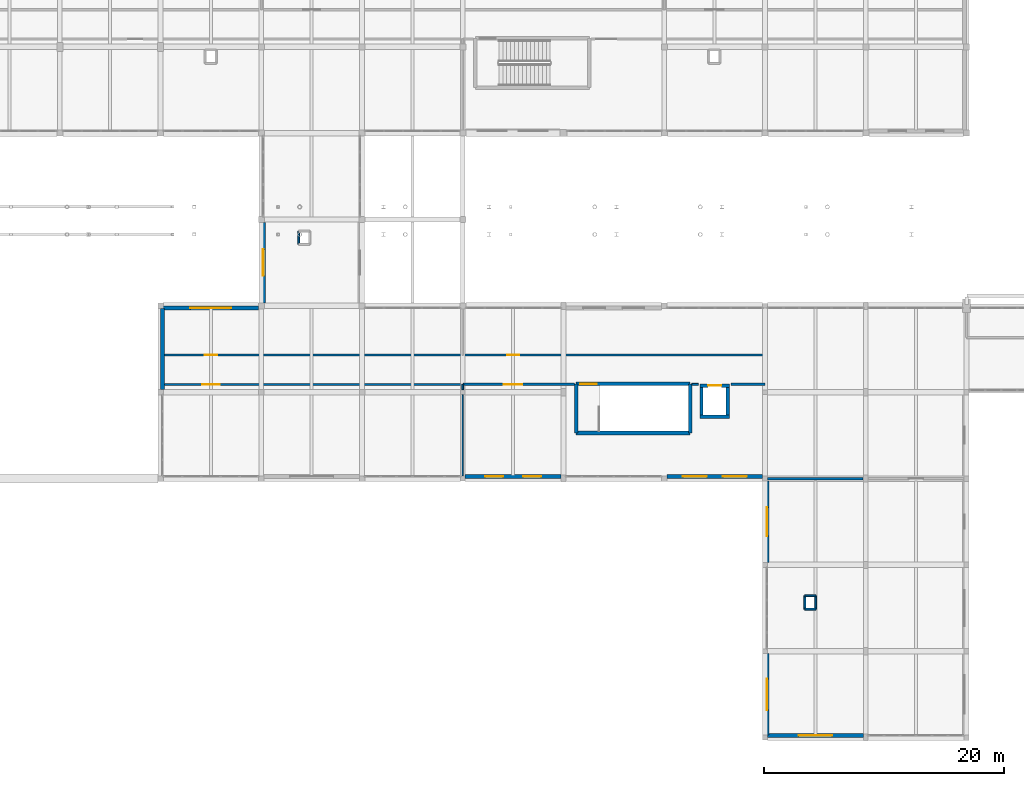
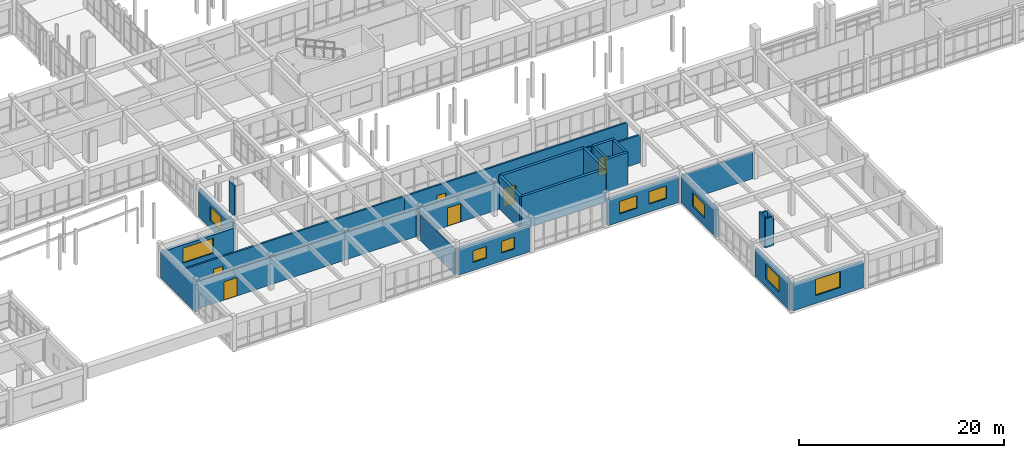
# One storey, part 127 of 147: 30 walls, 9 windows, 6 doors, 15 openings.
"""IFC4 building model written with IfcOpenShell, lengths in metres."""

from ifc_helpers import new_model, si_unit, direction, frame, frame_2d, origin, place, context, subcontext, project, spatial, rectangle, extrude, material, layer, layer_set, type_object, element, fill, save


model = new_model("IFC4")

# Units and contexts
model_context = context("Model", 3, precision=1e-05, world=origin(), true_north=direction((0.0, 1.0)))
body_context = subcontext(model_context, "Body", "Model", "MODEL_VIEW")
ifc_project = project(units=[si_unit("LENGTHUNIT", "METRE"), si_unit("AREAUNIT", "SQUARE_METRE"), si_unit("VOLUMEUNIT", "CUBIC_METRE"), si_unit("PLANEANGLEUNIT", "RADIAN"), si_unit("MASSUNIT", "GRAM", prefix="KILO")], contexts=[model_context])

# Site, building, storey
site_placement = place(None, origin())
site = spatial("IfcSite", under=ifc_project, at=site_placement, CompositionType="ELEMENT")
building_placement = place(site_placement, origin())
building = spatial("IfcBuilding", under=site, at=building_placement, Name="Malvenik Polytechnic", CompositionType="ELEMENT")
storey_placement = place(building_placement, frame((0.0, 0.0, 5.10009765625)))
storey = spatial("IfcBuildingStorey", under=building, at=storey_placement, Name="L01", CompositionType="ELEMENT", Elevation=5.10009765625)

# Wall
ifc_material_1 = material(Name="Concrete C35/45", Category="concrete")
ifc_layer_1 = layer(ifc_material_1, 0.280029296875)
ifc_layer_set_1 = layer_set([ifc_layer_1], Name="Concrete C35/45")
wall_type_1 = type_object("IfcWallType", Name="ARC-CW-S280", PredefinedType="SHEAR", material=ifc_layer_set_1)
wall_1_placement = place(storey_placement, frame((114.639892578125, 26.75, 0.0), z_axis=(0.0, 0.0, 1.0), x_axis=(-1.0, 0.0, 0.0)))
element("IfcWall", 1, at=wall_1_placement, inside=storey, type_object=wall_type_1, Name="Lift Shaft Shear Wall LP-04 L01 -Y", PredefinedType="SHEAR", context=body_context, shape_type="SweptSolid", body=[
    extrude(rectangle(XDim=2.47998046875, YDim=0.280029296875, at=frame_2d((1.239990234375, 0.0))), origin(), (0.0, 0.0, 1.0), 3.919921875),
])

# Wall, opening, door
wall_2_placement = place(storey_placement, frame((112.159912109375, 29.35009765625, 0.0), z_axis=(0.0, 0.0, 1.0), x_axis=(1.0, 0.0, 0.0)))
wall_2 = element("IfcWall", 2, at=wall_2_placement, inside=storey, type_object=wall_type_1, Name="Lift Shaft Shear Wall LP-04 L01 +Y", PredefinedType="SHEAR", context=body_context, shape_type="SweptSolid", body=[
    extrude(rectangle(XDim=2.47998046875, YDim=0.280029296875, at=frame_2d((1.239990234375, 0.0))), origin(), (0.0, 0.0, 1.0), 3.919921875),
])
opening_1_placement = place(wall_2_placement, frame((0.68994140625, 0.0, 0.0)))
opening_1 = element("IfcOpeningElement", 3, at=opening_1_placement, cuts=wall_2, Name="Opening LD-01", PredefinedType="OPENING", context=body_context, shape_type="SweptSolid", body=[
    extrude(rectangle(XDim=1.10009765625, YDim=2.14990234375, at=frame_2d((0.550048828125, 1.074951171875))), frame((0.0, 0.14990234375, 0.0), z_axis=(0.0, -1.0, 0.0), x_axis=(1.0, 0.0, 0.0)), (0.0, 0.0, 1.0), 0.300048828125),
])
ifc_material_2 = material(Name="Stainless steel fire-rated sliding lift landing door", Category="steel")
door_type_1 = type_object("IfcDoorType", Name="ARC-LDR-LD-01", OperationType="NOTDEFINED", PredefinedType="DOOR", material=ifc_material_2)
door_1_placement = place(opening_1_placement, origin())
door_1 = element("IfcDoor", 4, at=door_1_placement, inside=storey, type_object=door_type_1, Name="Lift Sliding Landing Door LP-04 L01", OperationType="DOUBLE_DOOR_SLIDING", OverallHeight=2.14990234375, OverallWidth=1.10009765625, PredefinedType="DOOR", context=body_context, shape_type="SweptSolid", body=[
    extrude(rectangle(XDim=1.10009765625, YDim=2.14990234375, at=frame_2d((0.550048828125, 1.074951171875))), frame((0.0, 0.02490234375, 0.0), z_axis=(0.0, -1.0, 0.0), x_axis=(1.0, 0.0, 0.0)), (0.0, 0.0, 1.0), 0.050048828125),
])
fill(opening_1, door_1)

# Walls
for number, where, z_axis, x_axis, name in (
    (5, (112.300048828125, 26.610107421875, 0.0), (0.0, 0.0, 1.0), (0.0, 1.0, 0.0), "Lift Shaft Shear Wall LP-04 L01 -X"),
    (6, (114.5, 29.489990234375, 0.0), (0.0, 0.0, 1.0), (0.0, -1.0, 0.0), "Lift Shaft Shear Wall LP-04 L01 +X"),
):
    element("IfcWall", number, at=place(storey_placement, frame(where, z_axis=z_axis, x_axis=x_axis)), inside=storey, type_object=wall_type_1, Name=name, PredefinedType="SHEAR", context=body_context, shape_type="SweptSolid", body=[
        extrude(rectangle(XDim=2.8798828125, YDim=0.280029296875, at=frame_2d((1.43994140625, 0.0))), origin(), (0.0, 0.0, 1.0), 3.919921875),
    ])
ifc_layer_2 = layer(ifc_material_1, 0.300048828125)
ifc_layer_set_2 = layer_set([ifc_layer_2], Name="Concrete C35/45")
wall_type_2 = type_object("IfcWallType", Name="ARC-CW-S300", PredefinedType="SHEAR", material=ifc_layer_set_2)
wall_3_placement = place(storey_placement, frame((101.85009765625, 25.39990234375, 0.0), z_axis=(0.0, 0.0, 1.0), x_axis=(0.0, 1.0, 0.0)))
element("IfcWall", 7, at=wall_3_placement, inside=storey, type_object=wall_type_2, Name="Stair Core Shear Wall ST-08 L01 NEAR", PredefinedType="SHEAR", context=body_context, shape_type="SweptSolid", body=[
    extrude(rectangle(XDim=4.10009765625, YDim=0.300048828125, at=frame_2d((2.050048828125, 0.0))), origin(), (0.0, 0.0, 1.0), 3.919921875),
])

# Wall, opening, door
wall_4_placement = place(storey_placement, frame((101.85009765625, 29.5, 0.0), z_axis=(0.0, 0.0, 1.0), x_axis=(1.0, 0.0, 0.0)))
wall_4 = element("IfcWall", 8, at=wall_4_placement, inside=storey, type_object=wall_type_2, Name="Stair Core Shear Wall ST-08 L01 RGHT", PredefinedType="SHEAR", context=body_context, shape_type="SweptSolid", body=[
    extrude(rectangle(XDim=9.5, YDim=0.300048828125, at=frame_2d((4.75, 0.0))), origin(), (0.0, 0.0, 1.0), 3.919921875),
])
opening_2_placement = place(wall_4_placement, frame((0.35009765625, 0.0, 0.0)))
opening_2 = element("IfcOpeningElement", 9, at=opening_2_placement, cuts=wall_4, Name="Opening SD-01", PredefinedType="OPENING", context=body_context, shape_type="SweptSolid", body=[
    extrude(rectangle(XDim=1.35009765625, YDim=2.199951171875, at=frame_2d((0.675048828125, 1.10009765625))), frame((0.0, 0.16015625, 0.0), z_axis=(0.0, -1.0, 0.0), x_axis=(1.0, 0.0, 0.0)), (0.0, 0.0, 1.0), 0.320068359375),
])
ifc_material_3 = material(Name="Fire-rated steel stair enclosure door", Category="steel")
door_type_2 = type_object("IfcDoorType", Name="ARC-IDR-SD-01", OperationType="NOTDEFINED", PredefinedType="DOOR", material=ifc_material_3)
door_2_placement = place(opening_2_placement, origin())
door_2 = element("IfcDoor", 10, at=door_2_placement, inside=storey, type_object=door_type_2, Name="Fire Stair Door ST-08 L01", OperationType="SINGLE_SWING_RIGHT", OverallHeight=2.199951171875, OverallWidth=1.35009765625, PredefinedType="DOOR", context=body_context, shape_type="SweptSolid", body=[
    extrude(rectangle(XDim=1.35009765625, YDim=2.199951171875, at=frame_2d((0.675048828125, 1.10009765625))), frame((0.0, 0.02490234375, 0.0), z_axis=(0.0, -1.0, 0.0), x_axis=(1.0, 0.0, 0.0)), (0.0, 0.0, 1.0), 0.050048828125),
])
fill(opening_2, door_2)

# Walls
wall_5_placement = place(storey_placement, frame((111.35009765625, 29.5, 0.0), z_axis=(0.0, 0.0, 1.0), x_axis=(0.0, -1.0, 0.0)))
element("IfcWall", 11, at=wall_5_placement, inside=storey, type_object=wall_type_2, Name="Stair Core Shear Wall ST-08 L01 FAR", PredefinedType="SHEAR", context=body_context, shape_type="SweptSolid", body=[
    extrude(rectangle(XDim=4.10009765625, YDim=0.300048828125, at=frame_2d((2.050048828125, 0.0))), origin(), (0.0, 0.0, 1.0), 3.919921875),
])
wall_6_placement = place(storey_placement, frame((111.35009765625, 25.39990234375, 0.0), z_axis=(0.0, 0.0, 1.0), x_axis=(-1.0, 0.0, 0.0)))
element("IfcWall", 12, at=wall_6_placement, inside=storey, type_object=wall_type_2, Name="Stair Core Shear Wall ST-08 L01 LEFT", PredefinedType="SHEAR", context=body_context, shape_type="SweptSolid", body=[
    extrude(rectangle(XDim=9.5, YDim=0.300048828125, at=frame_2d((4.75, 0.0))), origin(), (0.0, 0.0, 1.0), 3.919921875),
])

# Wall, opening, window
ifc_material_4 = material(Name="Concrete C30/37", Category="concrete")
ifc_layer_3 = layer(ifc_material_4, 0.340087890625)
ifc_layer_set_3 = layer_set([ifc_layer_3], Name="Concrete C30/37")
wall_type_3 = type_object("IfcWallType", Name="ARC-EW-340", PredefinedType="SOLIDWALL", material=ifc_layer_set_3)
wall_7_placement = place(storey_placement, frame((125.802001953125, 0.169921875, 0.0), z_axis=(0.0, 0.0, 1.0), x_axis=(-1.0, 0.0, 0.0)))
wall_7 = element("IfcWall", 13, at=wall_7_placement, inside=storey, type_object=wall_type_3, Name="External Facade Wall EW-02 L01 #230", PredefinedType="SOLIDWALL", context=body_context, shape_type="SweptSolid", body=[
    extrude(rectangle(XDim=8.00390625, YDim=0.340087890625, at=frame_2d((4.001953125, 0.0))), origin(), (0.0, 0.0, 1.0), 3.10986328125),
])
opening_3_placement = place(wall_7_placement, frame((2.60205078125, 0.0, 0.949951171875)))
opening_3 = element("IfcOpeningElement", 14, at=opening_3_placement, cuts=wall_7, Name="Opening W-10", PredefinedType="OPENING", context=body_context, shape_type="SweptSolid", body=[
    extrude(rectangle(XDim=2.800048828125, YDim=1.909912109375, at=frame_2d((1.39990234375, 0.955078125))), frame((0.0, 0.18017578125, 0.0), z_axis=(0.0, -1.0, 0.0), x_axis=(1.0, 0.0, 0.0)), (0.0, 0.0, 1.0), 0.360107421875),
])
ifc_material_5 = material(Name="Thermally broken aluminium frame with low-E double glazing", Category="aluminium")
window_type_1 = type_object("IfcWindowType", Name="ARC-WIN-W-10", PartitioningType="SINGLE_PANEL", PredefinedType="WINDOW", material=ifc_material_5)
window_1_placement = place(opening_3_placement, origin())
window_1 = element("IfcWindow", 15, at=window_1_placement, inside=storey, type_object=window_type_1, Name="Punched Window W-10 L01 #191", OverallHeight=1.909912109375, OverallWidth=2.800048828125, PartitioningType="SINGLE_PANEL", PredefinedType="WINDOW", context=body_context, shape_type="SweptSolid", body=[
    extrude(rectangle(XDim=2.800048828125, YDim=1.909912109375, at=frame_2d((1.39990234375, 0.955078125))), frame((0.0, 0.030029296875, 0.0), z_axis=(0.0, -1.0, 0.0), x_axis=(1.0, 0.0, 0.0)), (0.0, 0.0, 1.0), 0.06005859375),
])
fill(opening_3, window_1)

wall_8_placement = place(storey_placement, frame((117.77001953125, 0.197998046875, 0.0), z_axis=(0.0, 0.0, 1.0), x_axis=(0.0, 1.0, 0.0)))
wall_8 = element("IfcWall", 16, at=wall_8_placement, inside=storey, type_object=wall_type_3, Name="External Facade Wall EW-02 L01 #231", PredefinedType="SOLIDWALL", context=body_context, shape_type="SweptSolid", body=[
    extrude(rectangle(XDim=6.803955078125, YDim=0.340087890625, at=frame_2d((3.40185546875, 0.0))), origin(), (0.0, 0.0, 1.0), 3.309814453125),
])
opening_4_placement = place(wall_8_placement, frame((2.10205078125, 0.0, 0.949951171875)))
opening_4 = element("IfcOpeningElement", 17, at=opening_4_placement, cuts=wall_8, Name="Opening W-11", PredefinedType="OPENING", context=body_context, shape_type="SweptSolid", body=[
    extrude(rectangle(XDim=2.60009765625, YDim=1.800048828125, at=frame_2d((1.300048828125, 0.89990234375))), frame((0.0, 0.18017578125, 0.0), z_axis=(0.0, -1.0, 0.0), x_axis=(1.0, 0.0, 0.0)), (0.0, 0.0, 1.0), 0.360107421875),
])
window_type_2 = type_object("IfcWindowType", Name="ARC-WIN-W-11", PartitioningType="SINGLE_PANEL", PredefinedType="WINDOW", material=ifc_material_5)
window_2_placement = place(opening_4_placement, origin())
window_2 = element("IfcWindow", 18, at=window_2_placement, inside=storey, type_object=window_type_2, Name="Punched Window W-11 L01 #192", OverallHeight=1.800048828125, OverallWidth=2.60009765625, PartitioningType="SINGLE_PANEL", PredefinedType="WINDOW", context=body_context, shape_type="SweptSolid", body=[
    extrude(rectangle(XDim=2.60009765625, YDim=1.800048828125, at=frame_2d((1.300048828125, 0.89990234375))), frame((0.0, 0.030029296875, 0.0), z_axis=(0.0, -1.0, 0.0), x_axis=(1.0, 0.0, 0.0)), (0.0, 0.0, 1.0), 0.06005859375),
])
fill(opening_4, window_2)

wall_9_placement = place(storey_placement, frame((117.77001953125, 14.597900390625, 0.0), z_axis=(0.0, 0.0, 1.0), x_axis=(0.0, 1.0, 0.0)))
wall_9 = element("IfcWall", 19, at=wall_9_placement, inside=storey, type_object=wall_type_3, Name="External Facade Wall EW-02 L01 #232", PredefinedType="SOLIDWALL", context=body_context, shape_type="SweptSolid", body=[
    extrude(rectangle(XDim=6.80419921875, YDim=0.340087890625, at=frame_2d((3.402099609375, 0.0))), origin(), (0.0, 0.0, 1.0), 3.309814453125),
])
opening_5_placement = place(wall_9_placement, frame((2.201904296875, 0.0, 0.949951171875)))
opening_5 = element("IfcOpeningElement", 20, at=opening_5_placement, cuts=wall_9, Name="Opening W-12", PredefinedType="OPENING", context=body_context, shape_type="SweptSolid", body=[
    extrude(rectangle(XDim=2.39990234375, YDim=1.60009765625, at=frame_2d((1.199951171875, 0.800048828125))), frame((0.0, 0.18017578125, 0.0), z_axis=(0.0, -1.0, 0.0), x_axis=(1.0, 0.0, 0.0)), (0.0, 0.0, 1.0), 0.360107421875),
])
window_type_3 = type_object("IfcWindowType", Name="ARC-WIN-W-12", PartitioningType="SINGLE_PANEL", PredefinedType="WINDOW", material=ifc_material_5)
window_3_placement = place(opening_5_placement, origin())
window_3 = element("IfcWindow", 21, at=window_3_placement, inside=storey, type_object=window_type_3, Name="Punched Window W-12 L01 #193", OverallHeight=1.60009765625, OverallWidth=2.39990234375, PartitioningType="SINGLE_PANEL", PredefinedType="WINDOW", context=body_context, shape_type="SweptSolid", body=[
    extrude(rectangle(XDim=2.39990234375, YDim=1.60009765625, at=frame_2d((1.199951171875, 0.800048828125))), frame((0.0, 0.030029296875, 0.0), z_axis=(0.0, -1.0, 0.0), x_axis=(1.0, 0.0, 0.0)), (0.0, 0.0, 1.0), 0.06005859375),
])
fill(opening_5, window_3)

# Wall, openings, windows
wall_10_placement = place(storey_placement, frame((117.402099609375, 21.77001953125, 0.0), z_axis=(0.0, 0.0, 1.0), x_axis=(-1.0, 0.0, 0.0)))
wall_10 = element("IfcWall", 22, at=wall_10_placement, inside=storey, type_object=wall_type_3, Name="External Facade Wall EW-02 L01 #233", PredefinedType="SOLIDWALL", context=body_context, shape_type="SweptSolid", body=[
    extrude(rectangle(XDim=7.97900390625, YDim=0.340087890625, at=frame_2d((3.989501953125, 0.0))), origin(), (0.0, 0.0, 1.0), 3.10986328125),
])
opening_6_placement = place(wall_10_placement, frame((1.326416015625, 0.0, 0.949951171875)))
opening_6 = element("IfcOpeningElement", 23, at=opening_6_placement, cuts=wall_10, Name="Opening W-13", PredefinedType="OPENING", context=body_context, shape_type="SweptSolid", body=[
    extrude(rectangle(XDim=2.0, YDim=1.5, at=frame_2d((1.0, 0.75))), frame((0.0, 0.18017578125, 0.0), z_axis=(0.0, -1.0, 0.0), x_axis=(1.0, 0.0, 0.0)), (0.0, 0.0, 1.0), 0.360107421875),
])
opening_7_placement = place(wall_10_placement, frame((4.652587890625, 0.0, 0.949951171875)))
opening_7 = element("IfcOpeningElement", 24, at=opening_7_placement, cuts=wall_10, Name="Opening W-13", PredefinedType="OPENING", context=body_context, shape_type="SweptSolid", body=[
    extrude(rectangle(XDim=2.0, YDim=1.5, at=frame_2d((1.0, 0.75))), frame((0.0, 0.18017578125, 0.0), z_axis=(0.0, -1.0, 0.0), x_axis=(1.0, 0.0, 0.0)), (0.0, 0.0, 1.0), 0.360107421875),
])
window_type_4 = type_object("IfcWindowType", Name="ARC-WIN-W-13", PartitioningType="SINGLE_PANEL", PredefinedType="WINDOW", material=ifc_material_5)
window_4_placement = place(opening_6_placement, origin())
window_4 = element("IfcWindow", 25, at=window_4_placement, inside=storey, type_object=window_type_4, Name="Punched Window W-13 L01 #194", OverallHeight=1.5, OverallWidth=2.0, PartitioningType="SINGLE_PANEL", PredefinedType="WINDOW", context=body_context, shape_type="SweptSolid", body=[
    extrude(rectangle(XDim=2.0, YDim=1.5, at=frame_2d((1.0, 0.75))), frame((0.0, 0.030029296875, 0.0), z_axis=(0.0, -1.0, 0.0), x_axis=(1.0, 0.0, 0.0)), (0.0, 0.0, 1.0), 0.06005859375),
])
fill(opening_6, window_4)
window_5_placement = place(opening_7_placement, origin())
window_5 = element("IfcWindow", 26, at=window_5_placement, inside=storey, type_object=window_type_4, Name="Punched Window W-13 L01 #195", OverallHeight=1.5, OverallWidth=2.0, PartitioningType="SINGLE_PANEL", PredefinedType="WINDOW", context=body_context, shape_type="SweptSolid", body=[
    extrude(rectangle(XDim=2.0, YDim=1.5, at=frame_2d((1.0, 0.75))), frame((0.0, 0.030029296875, 0.0), z_axis=(0.0, -1.0, 0.0), x_axis=(1.0, 0.0, 0.0)), (0.0, 0.0, 1.0), 0.06005859375),
])
fill(opening_7, window_5)

wall_11_placement = place(storey_placement, frame((100.60205078125, 21.77001953125, 0.0), z_axis=(0.0, 0.0, 1.0), x_axis=(-1.0, 0.0, 0.0)))
wall_11 = element("IfcWall", 27, at=wall_11_placement, inside=storey, type_object=wall_type_3, Name="External Facade Wall EW-02 L01 #234", PredefinedType="SOLIDWALL", context=body_context, shape_type="SweptSolid", body=[
    extrude(rectangle(XDim=8.004150390625, YDim=0.340087890625, at=frame_2d((4.001953125, 0.0))), origin(), (0.0, 0.0, 1.0), 3.10986328125),
])
opening_8_placement = place(wall_11_placement, frame((1.66796875, 0.0, 0.949951171875)))
opening_8 = element("IfcOpeningElement", 28, at=opening_8_placement, cuts=wall_11, Name="Opening W-15", PredefinedType="OPENING", context=body_context, shape_type="SweptSolid", body=[
    extrude(rectangle(XDim=1.5, YDim=1.39990234375, at=frame_2d((0.75, 0.699951171875))), frame((0.0, 0.18017578125, 0.0), z_axis=(0.0, -1.0, 0.0), x_axis=(1.0, 0.0, 0.0)), (0.0, 0.0, 1.0), 0.360107421875),
])
opening_9_placement = place(wall_11_placement, frame((4.8359375, 0.0, 0.949951171875)))
opening_9 = element("IfcOpeningElement", 29, at=opening_9_placement, cuts=wall_11, Name="Opening W-15", PredefinedType="OPENING", context=body_context, shape_type="SweptSolid", body=[
    extrude(rectangle(XDim=1.5, YDim=1.39990234375, at=frame_2d((0.75, 0.699951171875))), frame((0.0, 0.18017578125, 0.0), z_axis=(0.0, -1.0, 0.0), x_axis=(1.0, 0.0, 0.0)), (0.0, 0.0, 1.0), 0.360107421875),
])
window_type_5 = type_object("IfcWindowType", Name="ARC-WIN-W-15", PartitioningType="SINGLE_PANEL", PredefinedType="WINDOW", material=ifc_material_5)
window_6_placement = place(opening_8_placement, origin())
window_6 = element("IfcWindow", 30, at=window_6_placement, inside=storey, type_object=window_type_5, Name="Punched Window W-15 L01 #196", OverallHeight=1.39990234375, OverallWidth=1.5, PartitioningType="SINGLE_PANEL", PredefinedType="WINDOW", context=body_context, shape_type="SweptSolid", body=[
    extrude(rectangle(XDim=1.5, YDim=1.39990234375, at=frame_2d((0.75, 0.699951171875))), frame((0.0, 0.030029296875, 0.0), z_axis=(0.0, -1.0, 0.0), x_axis=(1.0, 0.0, 0.0)), (0.0, 0.0, 1.0), 0.06005859375),
])
fill(opening_8, window_6)
window_7_placement = place(opening_9_placement, origin())
window_7 = element("IfcWindow", 31, at=window_7_placement, inside=storey, type_object=window_type_5, Name="Punched Window W-15 L01 #197", OverallHeight=1.39990234375, OverallWidth=1.5, PartitioningType="SINGLE_PANEL", PredefinedType="WINDOW", context=body_context, shape_type="SweptSolid", body=[
    extrude(rectangle(XDim=1.5, YDim=1.39990234375, at=frame_2d((0.75, 0.699951171875))), frame((0.0, 0.030029296875, 0.0), z_axis=(0.0, -1.0, 0.0), x_axis=(1.0, 0.0, 0.0)), (0.0, 0.0, 1.0), 0.06005859375),
])
fill(opening_9, window_7)

# Wall
wall_12_placement = place(storey_placement, frame((67.3701171875, 29.02294921875, 0.0), z_axis=(0.0, 0.0, 1.0), x_axis=(0.0, 1.0, 0.0)))
element("IfcWall", 32, at=wall_12_placement, inside=storey, type_object=wall_type_3, Name="External Facade Wall EW-02 L01 #236", PredefinedType="SOLIDWALL", context=body_context, shape_type="SweptSolid", body=[
    extrude(rectangle(XDim=6.754150390625, YDim=0.340087890625, at=frame_2d((3.376953125, 0.0))), origin(), (0.0, 0.0, 1.0), 3.309814453125),
])

# Wall, opening, window
wall_13_placement = place(storey_placement, frame((67.423095703125, 35.830078125, 0.0), z_axis=(0.0, 0.0, 1.0), x_axis=(1.0, 0.0, 0.0)))
wall_13 = element("IfcWall", 33, at=wall_13_placement, inside=storey, type_object=wall_type_3, Name="External Facade Wall EW-02 L01 #237", PredefinedType="SOLIDWALL", context=body_context, shape_type="SweptSolid", body=[
    extrude(rectangle(XDim=7.928955078125, YDim=0.340087890625, at=frame_2d((3.96435546875, 0.0))), origin(), (0.0, 0.0, 1.0), 3.10986328125),
])
opening_10_placement = place(wall_13_placement, frame((2.264404296875, 0.0, 0.949951171875)))
opening_10 = element("IfcOpeningElement", 34, at=opening_10_placement, cuts=wall_13, Name="Opening W-18", PredefinedType="OPENING", context=body_context, shape_type="SweptSolid", body=[
    extrude(rectangle(XDim=3.39990234375, YDim=1.800048828125, at=frame_2d((1.699951171875, 0.89990234375))), frame((0.0, 0.18017578125, 0.0), z_axis=(0.0, -1.0, 0.0), x_axis=(1.0, 0.0, 0.0)), (0.0, 0.0, 1.0), 0.360107421875),
])
window_type_6 = type_object("IfcWindowType", Name="ARC-WIN-W-18", PartitioningType="SINGLE_PANEL", PredefinedType="WINDOW", material=ifc_material_5)
window_8_placement = place(opening_10_placement, origin())
window_8 = element("IfcWindow", 35, at=window_8_placement, inside=storey, type_object=window_type_6, Name="Punched Window W-18 L01 #199", OverallHeight=1.800048828125, OverallWidth=3.39990234375, PartitioningType="SINGLE_PANEL", PredefinedType="WINDOW", context=body_context, shape_type="SweptSolid", body=[
    extrude(rectangle(XDim=3.39990234375, YDim=1.800048828125, at=frame_2d((1.699951171875, 0.89990234375))), frame((0.0, 0.030029296875, 0.0), z_axis=(0.0, -1.0, 0.0), x_axis=(1.0, 0.0, 0.0)), (0.0, 0.0, 1.0), 0.06005859375),
])
fill(opening_10, window_8)

wall_14_placement = place(storey_placement, frame((75.77001953125, 36.248046875, 0.0), z_axis=(0.0, 0.0, 1.0), x_axis=(0.0, 1.0, 0.0)))
wall_14 = element("IfcWall", 36, at=wall_14_placement, inside=storey, type_object=wall_type_3, Name="External Facade Wall EW-02 L01 #238", PredefinedType="SOLIDWALL", context=body_context, shape_type="SweptSolid", body=[
    extrude(rectangle(XDim=6.703857421875, YDim=0.340087890625, at=frame_2d((3.35205078125, 0.0))), origin(), (0.0, 0.0, 1.0), 3.309814453125),
])
opening_11_placement = place(wall_14_placement, frame((2.251953125, 0.0, 0.949951171875)))
opening_11 = element("IfcOpeningElement", 37, at=opening_11_placement, cuts=wall_14, Name="Opening W-19", PredefinedType="OPENING", context=body_context, shape_type="SweptSolid", body=[
    extrude(rectangle(XDim=2.199951171875, YDim=1.699951171875, at=frame_2d((1.10009765625, 0.85009765625))), frame((0.0, 0.18017578125, 0.0), z_axis=(0.0, -1.0, 0.0), x_axis=(1.0, 0.0, 0.0)), (0.0, 0.0, 1.0), 0.360107421875),
])
window_type_7 = type_object("IfcWindowType", Name="ARC-WIN-W-19", PartitioningType="SINGLE_PANEL", PredefinedType="WINDOW", material=ifc_material_5)
window_9_placement = place(opening_11_placement, origin())
window_9 = element("IfcWindow", 38, at=window_9_placement, inside=storey, type_object=window_type_7, Name="Punched Window W-19 L01 #200", OverallHeight=1.699951171875, OverallWidth=2.199951171875, PartitioningType="SINGLE_PANEL", PredefinedType="WINDOW", context=body_context, shape_type="SweptSolid", body=[
    extrude(rectangle(XDim=2.199951171875, YDim=1.699951171875, at=frame_2d((1.10009765625, 0.85009765625))), frame((0.0, 0.030029296875, 0.0), z_axis=(0.0, -1.0, 0.0), x_axis=(1.0, 0.0, 0.0)), (0.0, 0.0, 1.0), 0.06005859375),
])
fill(opening_11, window_9)

# Wall, opening, door
ifc_material_6 = material(Name="Calcium silicate fire-rated blockwork 200mm", Category="masonry")
ifc_layer_4 = layer(ifc_material_6, 0.199951171875)
ifc_layer_set_4 = layer_set([ifc_layer_4], Name="Calcium silicate fire-rated blockwork 200mm")
wall_type_4 = type_object("IfcWallType", Name="ARC-FW-200", PredefinedType="SOLIDWALL", material=ifc_layer_set_4)
wall_15_placement = place(storey_placement, frame((67.419921875, 31.89990234375, 0.0), z_axis=(0.0, 0.0, 1.0), x_axis=(1.0, 0.0, 0.0)))
wall_15 = element("IfcWall", 39, at=wall_15_placement, inside=storey, type_object=wall_type_4, Name="Interior Partition FW-02 L01 #214", PredefinedType="SOLIDWALL", context=body_context, shape_type="SweptSolid", body=[
    extrude(rectangle(XDim=24.97998046875, YDim=0.199951171875, at=frame_2d((12.489990234375, 0.0))), origin(), (0.0, 0.0, 1.0), 3.304931640625),
])
opening_12_placement = place(wall_15_placement, frame((3.455078125, 0.0, 0.0)))
opening_12 = element("IfcOpeningElement", 40, at=opening_12_placement, cuts=wall_15, Name="Opening FD-05", PredefinedType="OPENING", context=body_context, shape_type="SweptSolid", body=[
    extrude(rectangle(XDim=1.050048828125, YDim=2.14990234375, at=frame_2d((0.52490234375, 1.074951171875))), frame((0.0, 0.10986328125, 0.0), z_axis=(0.0, -1.0, 0.0), x_axis=(1.0, 0.0, 0.0)), (0.0, 0.0, 1.0), 0.219970703125),
])
ifc_material_7 = material(Name="Fire-rated archive room door", Category="steel")
door_type_3 = type_object("IfcDoorType", Name="ARC-IDR-FD-05", OperationType="NOTDEFINED", PredefinedType="DOOR", material=ifc_material_7)
door_3_placement = place(opening_12_placement, origin())
door_3 = element("IfcDoor", 41, at=door_3_placement, inside=storey, type_object=door_type_3, Name="Interior Door FD-05 L01 #91", OperationType="SINGLE_SWING_LEFT", OverallHeight=2.14990234375, OverallWidth=1.050048828125, PredefinedType="DOOR", context=body_context, shape_type="SweptSolid", body=[
    extrude(rectangle(XDim=1.050048828125, YDim=2.14990234375, at=frame_2d((0.52490234375, 1.074951171875))), frame((0.0, 0.02490234375, 0.0), z_axis=(0.0, -1.0, 0.0), x_axis=(1.0, 0.0, 0.0)), (0.0, 0.0, 1.0), 0.050048828125),
])
fill(opening_12, door_3)

wall_16_placement = place(storey_placement, frame((92.39990234375, 31.89990234375, 0.0), z_axis=(0.0, 0.0, 1.0), x_axis=(1.0, 0.0, 0.0)))
wall_16 = element("IfcWall", 42, at=wall_16_placement, inside=storey, type_object=wall_type_4, Name="Interior Partition FW-02 L01 #216", PredefinedType="SOLIDWALL", context=body_context, shape_type="SweptSolid", body=[
    extrude(rectangle(XDim=25.2001953125, YDim=0.199951171875, at=frame_2d((12.60009765625, 0.0))), origin(), (0.0, 0.0, 1.0), 3.304931640625),
])
opening_13_placement = place(wall_16_placement, frame((3.699951171875, 0.0, 0.0)))
opening_13 = element("IfcOpeningElement", 43, at=opening_13_placement, cuts=wall_16, Name="Opening FD-07", PredefinedType="OPENING", context=body_context, shape_type="SweptSolid", body=[
    extrude(rectangle(XDim=1.0, YDim=2.10009765625, at=frame_2d((0.5, 1.050048828125))), frame((0.0, 0.10986328125, 0.0), z_axis=(0.0, -1.0, 0.0), x_axis=(1.0, 0.0, 0.0)), (0.0, 0.0, 1.0), 0.219970703125),
])
ifc_material_8 = material(Name="Fire-rated washroom corridor door", Category="steel")
door_type_4 = type_object("IfcDoorType", Name="ARC-IDR-FD-07", OperationType="NOTDEFINED", PredefinedType="DOOR", material=ifc_material_8)
door_4_placement = place(opening_13_placement, origin())
door_4 = element("IfcDoor", 44, at=door_4_placement, inside=storey, type_object=door_type_4, Name="Interior Door FD-07 L01 #92", OperationType="SINGLE_SWING_RIGHT", OverallHeight=2.10009765625, OverallWidth=1.0, PredefinedType="DOOR", context=body_context, shape_type="SweptSolid", body=[
    extrude(rectangle(XDim=1.0, YDim=2.10009765625, at=frame_2d((0.5, 1.050048828125))), frame((0.0, 0.02490234375, 0.0), z_axis=(0.0, -1.0, 0.0), x_axis=(1.0, 0.0, 0.0)), (0.0, 0.0, 1.0), 0.050048828125),
])
fill(opening_13, door_4)

# Wall
wall_17_placement = place(storey_placement, frame((117.60009765625, 29.449951171875, 0.0), z_axis=(0.0, 0.0, 1.0), x_axis=(-1.0, 0.0, 0.0)))
element("IfcWall", 45, at=wall_17_placement, inside=storey, type_object=wall_type_4, Name="Interior Partition FW-02 L01 #220", PredefinedType="SOLIDWALL", context=body_context, shape_type="SweptSolid", body=[
    extrude(rectangle(XDim=2.830078125, YDim=0.199951171875, at=frame_2d((1.4150390625, 0.0))), origin(), (0.0, 0.0, 1.0), 3.304931640625),
])

# Wall, opening, door
wall_18_placement = place(storey_placement, frame((101.7099609375, 29.449951171875, 0.0), z_axis=(0.0, 0.0, 1.0), x_axis=(-1.0, 0.0, 0.0)))
wall_18 = element("IfcWall", 46, at=wall_18_placement, inside=storey, type_object=wall_type_4, Name="Interior Partition FW-02 L01 #222", PredefinedType="SOLIDWALL", context=body_context, shape_type="SweptSolid", body=[
    extrude(rectangle(XDim=9.31005859375, YDim=0.199951171875, at=frame_2d((4.655029296875, 0.0))), origin(), (0.0, 0.0, 1.0), 3.304931640625),
])
opening_14_placement = place(wall_18_placement, frame((4.3349609375, 0.0, 0.0)))
opening_14 = element("IfcOpeningElement", 47, at=opening_14_placement, cuts=wall_18, Name="Opening FD-09", PredefinedType="OPENING", context=body_context, shape_type="SweptSolid", body=[
    extrude(rectangle(XDim=1.550048828125, YDim=2.199951171875, at=frame_2d((0.77490234375, 1.10009765625))), frame((0.0, 0.10986328125, 0.0), z_axis=(0.0, -1.0, 0.0), x_axis=(1.0, 0.0, 0.0)), (0.0, 0.0, 1.0), 0.219970703125),
])
ifc_material_9 = material(Name="Fire-rated studio corridor double door", Category="steel")
door_type_5 = type_object("IfcDoorType", Name="ARC-IDR-FD-09", OperationType="NOTDEFINED", PredefinedType="DOOR", material=ifc_material_9)
door_5_placement = place(opening_14_placement, origin())
door_5 = element("IfcDoor", 48, at=door_5_placement, inside=storey, type_object=door_type_5, Name="Interior Door FD-09 L01 #94", OperationType="DOUBLE_DOOR_SINGLE_SWING", OverallHeight=2.199951171875, OverallWidth=1.550048828125, PredefinedType="DOOR", context=body_context, shape_type="SweptSolid", body=[
    extrude(rectangle(XDim=1.550048828125, YDim=2.199951171875, at=frame_2d((0.77490234375, 1.10009765625))), frame((0.0, 0.02490234375, 0.0), z_axis=(0.0, -1.0, 0.0), x_axis=(1.0, 0.0, 0.0)), (0.0, 0.0, 1.0), 0.050048828125),
])
fill(opening_14, door_5)

# Walls
wall_19_placement = place(storey_placement, frame((125.780029296875, 21.60009765625, 0.0), z_axis=(0.0, 0.0, 1.0), x_axis=(-1.0, 0.0, 0.0)))
element("IfcWall", 49, at=wall_19_placement, inside=storey, type_object=wall_type_4, Name="Interior Partition FW-02 L01 #224", PredefinedType="SOLIDWALL", context=body_context, shape_type="SweptSolid", body=[
    extrude(rectangle(XDim=7.9599609375, YDim=0.199951171875, at=frame_2d((3.97998046875, 0.0))), origin(), (0.0, 0.0, 1.0), 3.15478515625),
])
ifc_material_10 = material(Name="Lightweight gypsum partition 110mm", Category="gypsum")
ifc_layer_5 = layer(ifc_material_10, 0.110107421875)
ifc_layer_set_5 = layer_set([ifc_layer_5], Name="Lightweight gypsum partition 110mm")
wall_type_5 = type_object("IfcWallType", Name="ARC-PW-110", PredefinedType="PARTITIONING", material=ifc_layer_set_5)
wall_20_placement = place(storey_placement, frame((92.39990234375, 21.820068359375, 0.0), z_axis=(0.0, 0.0, 1.0), x_axis=(0.0, 1.0, 0.0)))
element("IfcWall", 50, at=wall_20_placement, inside=storey, type_object=wall_type_5, Name="Interior Partition PW-04I L01 #218", PredefinedType="PARTITIONING", context=body_context, shape_type="SweptSolid", body=[
    extrude(rectangle(XDim=6.760009765625, YDim=0.110107421875, at=frame_2d((3.3798828125, 0.0))), origin(), (0.0, 0.0, 1.0), 3.10498046875),
])
ifc_material_11 = material(Name="Acoustic metal-stud gypsum partition 140mm", Category="gypsum")
ifc_layer_6 = layer(ifc_material_11, 0.139892578125)
ifc_layer_set_6 = layer_set([ifc_layer_6], Name="Acoustic metal-stud gypsum partition 140mm")
wall_type_6 = type_object("IfcWallType", Name="ARC-PW-140", PredefinedType="PARTITIONING", material=ifc_layer_set_6)
wall_21_placement = place(storey_placement, frame((92.39990234375, 29.02001953125, 0.0), z_axis=(0.0, 0.0, 1.0), x_axis=(0.0, 1.0, 0.0)))
element("IfcWall", 51, at=wall_21_placement, inside=storey, type_object=wall_type_6, Name="Interior Partition PW-02I L01 #219", PredefinedType="PARTITIONING", context=body_context, shape_type="SweptSolid", body=[
    extrude(rectangle(XDim=0.429931640625, YDim=0.139892578125, at=frame_2d((0.21484375, 0.0))), origin(), (0.0, 0.0, 1.0), 3.15478515625),
])
ifc_material_12 = material(Name="Double-stud acoustic gypsum board partition 160mm", Category="gypsum")
ifc_layer_7 = layer(ifc_material_12, 0.159912109375)
ifc_layer_set_7 = layer_set([ifc_layer_7], Name="Double-stud acoustic gypsum board partition 160mm")
wall_type_7 = type_object("IfcWallType", Name="ARC-PW-160", PredefinedType="PARTITIONING", material=ifc_layer_set_7)
for number, where, z_axis, x_axis, name in (
    (52, (120.919921875, 10.719970703125, 0.0), (0.0, 0.0, 1.0), (1.0, 0.0, 0.0), "Riser Shaft Enclosure L01 #23S"),
    (53, (121.830078125, 11.830078125, 0.0), (0.0, 0.0, 1.0), (-1.0, 0.0, 0.0), "Riser Shaft Enclosure L01 #23N"),
):
    element("IfcWall", number, at=place(storey_placement, frame(where, z_axis=z_axis, x_axis=x_axis)), inside=storey, type_object=wall_type_7, Name=name, PredefinedType="PARTITIONING", context=body_context, shape_type="SweptSolid", body=[
        extrude(rectangle(XDim=0.91015625, YDim=0.159912109375, at=frame_2d((0.455078125, 0.0))), origin(), (0.0, 0.0, 1.0), 3.454833984375),
    ])
wall_22_placement = place(storey_placement, frame((120.919921875, 11.830078125, 0.0), z_axis=(0.0, 0.0, 1.0), x_axis=(0.0, -1.0, 0.0)))
element("IfcWall", 54, at=wall_22_placement, inside=storey, type_object=wall_type_7, Name="Riser Shaft Enclosure L01 #23W", PredefinedType="PARTITIONING", context=body_context, shape_type="SweptSolid", body=[
    extrude(rectangle(XDim=1.110107421875, YDim=0.159912109375, at=frame_2d((0.55517578125, 0.0))), origin(), (0.0, 0.0, 1.0), 3.64990234375),
])
wall_23_placement = place(storey_placement, frame((121.830078125, 10.719970703125, 0.0), z_axis=(0.0, 0.0, 1.0), x_axis=(0.0, 1.0, 0.0)))
element("IfcWall", 55, at=wall_23_placement, inside=storey, type_object=wall_type_7, Name="Riser Shaft Enclosure L01 #23E", PredefinedType="PARTITIONING", context=body_context, shape_type="SweptSolid", body=[
    extrude(rectangle(XDim=1.110107421875, YDim=0.159912109375, at=frame_2d((0.55517578125, 0.0))), origin(), (0.0, 0.0, 1.0), 3.454833984375),
])
wall_24_placement = place(storey_placement, frame((78.719970703125, 42.22998046875, 0.0), z_axis=(0.0, 0.0, 1.0), x_axis=(0.0, -1.0, 0.0)))
element("IfcWall", 56, at=wall_24_placement, inside=storey, type_object=wall_type_7, Name="Riser Shaft Enclosure L01 #26W", PredefinedType="PARTITIONING", context=body_context, shape_type="SweptSolid", body=[
    extrude(rectangle(XDim=1.10986328125, YDim=0.159912109375, at=frame_2d((0.554931640625, 0.0))), origin(), (0.0, 0.0, 1.0), 3.64990234375),
])

# Wall, opening, door
wall_25_placement = place(storey_placement, frame((92.39990234375, 29.449951171875, 0.0), z_axis=(0.0, 0.0, 1.0), x_axis=(-1.0, 0.0, 0.0)))
wall_25 = element("IfcWall", 57, at=wall_25_placement, inside=storey, type_object=wall_type_7, Name="Interior Partition PW-01I L01 #217", PredefinedType="PARTITIONING", context=body_context, shape_type="SweptSolid", body=[
    extrude(rectangle(XDim=24.97998046875, YDim=0.159912109375, at=frame_2d((12.489990234375, 0.0))), origin(), (0.0, 0.0, 1.0), 3.304931640625),
])
opening_15_placement = place(wall_25_placement, frame((20.27490234375, 0.0, 0.0)))
opening_15 = element("IfcOpeningElement", 58, at=opening_15_placement, cuts=wall_25, Name="Opening FD-08", PredefinedType="OPENING", context=body_context, shape_type="SweptSolid", body=[
    extrude(rectangle(XDim=1.449951171875, YDim=2.199951171875, at=frame_2d((0.72509765625, 1.10009765625))), frame((0.0, 0.08984375, 0.0), z_axis=(0.0, -1.0, 0.0), x_axis=(1.0, 0.0, 0.0)), (0.0, 0.0, 1.0), 0.179931640625),
])
ifc_material_13 = material(Name="Fire-rated seminar corridor door", Category="steel")
door_type_6 = type_object("IfcDoorType", Name="ARC-IDR-FD-08", OperationType="NOTDEFINED", PredefinedType="DOOR", material=ifc_material_13)
door_6_placement = place(opening_15_placement, origin())
door_6 = element("IfcDoor", 59, at=door_6_placement, inside=storey, type_object=door_type_6, Name="Interior Door FD-08 L01 #93", OperationType="SINGLE_SWING_LEFT", OverallHeight=2.199951171875, OverallWidth=1.449951171875, PredefinedType="DOOR", context=body_context, shape_type="SweptSolid", body=[
    extrude(rectangle(XDim=1.449951171875, YDim=2.199951171875, at=frame_2d((0.72509765625, 1.10009765625))), frame((0.0, 0.02490234375, 0.0), z_axis=(0.0, -1.0, 0.0), x_axis=(1.0, 0.0, 0.0)), (0.0, 0.0, 1.0), 0.050048828125),
])
fill(opening_15, door_6)

# Wall
wall_26_placement = place(storey_placement, frame((112.030029296875, 29.449951171875, 0.0), z_axis=(0.0, 0.0, 1.0), x_axis=(-1.0, 0.0, 0.0)))
element("IfcWall", 60, at=wall_26_placement, inside=storey, type_object=wall_type_7, Name="Interior Partition PW-01I L01 #221", PredefinedType="PARTITIONING", context=body_context, shape_type="SweptSolid", body=[
    extrude(rectangle(XDim=0.5400390625, YDim=0.159912109375, at=frame_2d((0.27001953125, 0.0))), origin(), (0.0, 0.0, 1.0), 3.849853515625),
])

save(model, "model.ifc")
